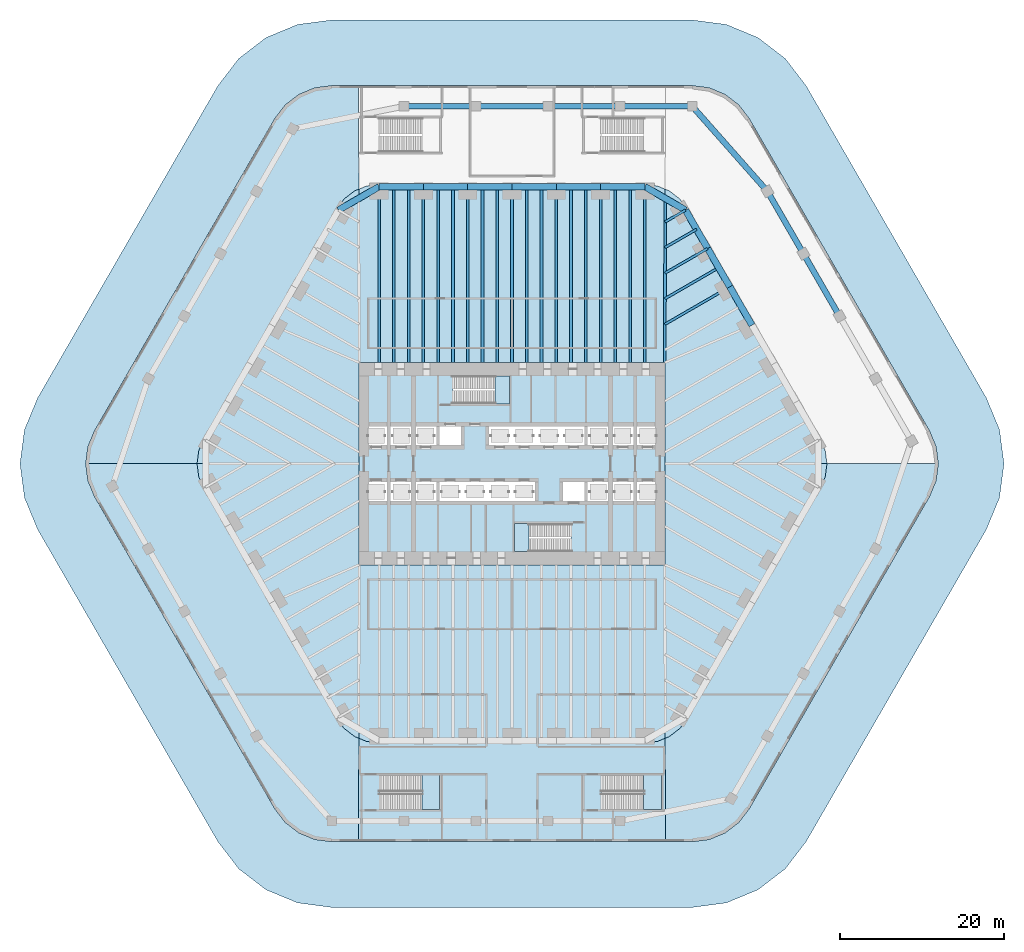
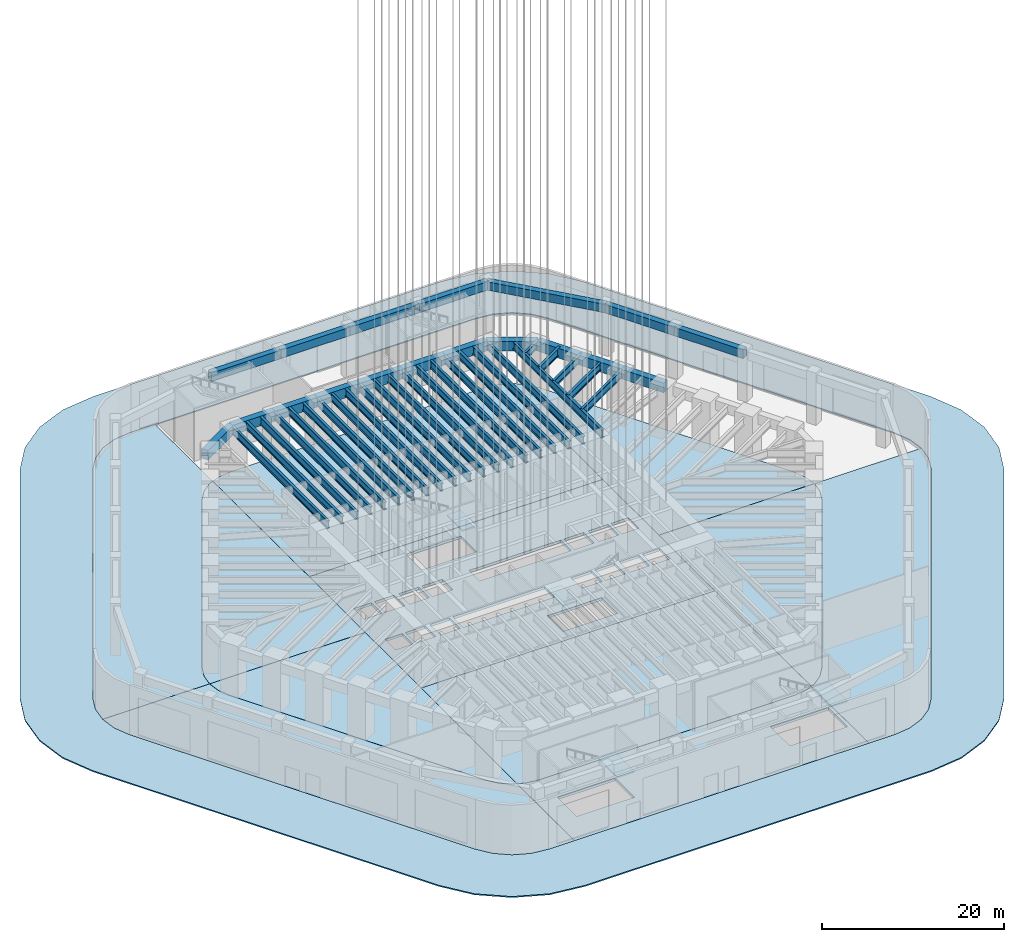
# One storey, part 3 of 23: 43 beams, 16 slabs, 4 elements without a shape of their own.
"""IFC4 building model written with IfcOpenShell, lengths in metres."""

import ifcopenshell
import ifcopenshell.guid

model = None  # the IFC model being written
_history = None  # IfcOwnerHistory: only IFC2X3 demands one
_inside = {}  # id of a spatial element -> (the spatial element, [elements in it])
_under = {}  # id of a project, library or spatial element -> (it, [spatial elements below it])
_declared = {}  # id of a project -> (the project, [libraries it declares])
_typed = {}  # id of a type object -> (the type object, [elements of that type])
_made_of = {}  # id of a material, layer set ... -> (it, [elements and type objects made of it])


def new_model(schema):
    """Start an empty IFC model of exactly this schema.

    Asked for "IFC4X3", IfcOpenShell would pick the latest addendum, in which some entities
    have other attributes; the version numbers below select the first issue.
    IFC2X3 requires an IfcOwnerHistory on every rooted entity: one is made here for all.
    """
    global model, _history
    if schema == "IFC4X3":
        model = ifcopenshell.file(schema_version=(4, 3, 0, 0))
    else:
        model = ifcopenshell.file(schema=schema)
    _inside.clear()
    _under.clear()
    _declared.clear()
    _typed.clear()
    _made_of.clear()
    _history = None
    if model.schema == "IFC2X3":
        org = make("IfcOrganization", Name="unknown")
        user = make(
            "IfcPersonAndOrganization",
            ThePerson=make("IfcPerson", FamilyName="unknown"),
            TheOrganization=org,
        )
        app = make(
            "IfcApplication",
            ApplicationDeveloper=org,
            Version="unknown",
            ApplicationFullName="unknown",
            ApplicationIdentifier="unknown",
        )
        _history = make(
            "IfcOwnerHistory",
            OwningUser=user,
            OwningApplication=app,
            ChangeAction="ADDED",
            CreationDate=0,
        )
    return model


def make(cls, **values):
    """One entity of the class cls with the attributes given. An attribute that is None is left unset."""
    return model.create_entity(
        cls, **{name: value for name, value in values.items() if value is not None}
    )


def rooted(cls, **values):
    """An entity with a GlobalId (a new one), such as an element, a storey or a relation."""
    return make(cls, GlobalId=ifcopenshell.guid.new(), OwnerHistory=_history, **values)


def si_unit(unit_type, name, prefix=None):
    """IfcSIUnit, for example si_unit("LENGTHUNIT", "METRE", prefix="MILLI")."""
    return make("IfcSIUnit", UnitType=unit_type, Prefix=prefix, Name=name)


def assignment(units):
    """IfcUnitAssignment: the units of a project."""
    return None if units is None else make("IfcUnitAssignment", Units=units)


def point(xyz):
    """IfcCartesianPoint."""
    return None if xyz is None else make("IfcCartesianPoint", Coordinates=xyz)


def direction(xyz):
    """IfcDirection."""
    return None if xyz is None else make("IfcDirection", DirectionRatios=xyz)


def frame(location, z_axis=None, x_axis=None):
    """IfcAxis2Placement3D, a coordinate frame: its origin and axes. An axis left out is left unset."""
    return make(
        "IfcAxis2Placement3D",
        Location=point(location),
        Axis=direction(z_axis),
        RefDirection=direction(x_axis),
    )


def frame_2d(location, x_axis=None):
    """IfcAxis2Placement2D, a coordinate frame in the plane: its origin and x axis."""
    return make(
        "IfcAxis2Placement2D", Location=point(location), RefDirection=direction(x_axis)
    )


def origin():
    """The frame at (0, 0, 0) with its axes left unset."""
    return frame((0.0, 0.0, 0.0))


def origin_2d():
    """The frame at (0, 0) in the plane with its x axis left unset."""
    return frame_2d((0.0, 0.0))


def place(relative_to, where):
    """IfcLocalPlacement: puts the frame where relative to a parent placement (None: the world)."""
    return make(
        "IfcLocalPlacement", PlacementRelTo=relative_to, RelativePlacement=where
    )


def context(
    kind, dimensions, precision=None, world=None, true_north=None, identifier=None
):
    """IfcGeometricRepresentationContext, for example the 3D "Model" context."""
    return make(
        "IfcGeometricRepresentationContext",
        ContextIdentifier=identifier,
        ContextType=kind,
        CoordinateSpaceDimension=dimensions,
        Precision=precision,
        WorldCoordinateSystem=world,
        TrueNorth=true_north,
    )


def subcontext(parent, identifier, kind, view, scale=None):
    """IfcGeometricRepresentationSubContext, for example "Body" below "Model"."""
    return make(
        "IfcGeometricRepresentationSubContext",
        ContextIdentifier=identifier,
        ContextType=kind,
        ParentContext=parent,
        TargetScale=scale,
        TargetView=view,
    )


def project(units=None, contexts=None):
    """IfcProject with its units and contexts."""
    return rooted(
        "IfcProject",
        Name="project",
        RepresentationContexts=contexts,
        UnitsInContext=assignment(units),
    )


def spatial(cls, under=None, at=None, **own):
    """A site, building, storey or space (cls), placed at a placement, below another one or the project."""
    s = rooted(cls, ObjectPlacement=at, **own)
    if under is not None:
        _under.setdefault(under.id(), (under, []))[1].append(s)
    return s


def polyline(points):
    """IfcPolyline through the points."""
    return make("IfcPolyline", Points=[point(p) for p in points])


def profile(cls, at=None, kind="AREA", **sizes):
    """A parametric profile (cls). Its sizes go by their IFC names, for example OverallWidth=200.0."""
    return make(cls, ProfileType=kind, Position=at, **sizes)


def rectangle(**sizes):
    """IfcRectangleProfileDef."""
    return profile("IfcRectangleProfileDef", **sizes)


def i_section(**sizes):
    """IfcIShapeProfileDef."""
    return profile("IfcIShapeProfileDef", **sizes)


def outline(outer, holes=None, kind="AREA"):
    """IfcArbitraryClosedProfileDef: a profile drawn as a closed curve; with holes, ...WithVoids."""
    if holes is None:
        return make("IfcArbitraryClosedProfileDef", ProfileType=kind, OuterCurve=outer)
    return make(
        "IfcArbitraryProfileDefWithVoids",
        ProfileType=kind,
        OuterCurve=outer,
        InnerCurves=holes,
    )


def extrude(swept, where, along, depth):
    """IfcExtrudedAreaSolid: the profile swept, set in the frame where, extruded along a direction by depth."""
    return make(
        "IfcExtrudedAreaSolid",
        SweptArea=swept,
        Position=where,
        ExtrudedDirection=direction(along),
        Depth=depth,
    )


def shape(context_of_items, identifier, shape_type, items):
    """IfcShapeRepresentation: the items that make up one representation, for example the "Body"."""
    return make(
        "IfcShapeRepresentation",
        ContextOfItems=context_of_items,
        RepresentationIdentifier=identifier,
        RepresentationType=shape_type,
        Items=items,
    )


def material(Name=None, Category=None):
    """IfcMaterial."""
    return make("IfcMaterial", Name=Name, Category=Category)


def layer(
    of_material, thickness, ventilated=None, Name=None, Category=None, Priority=None
):
    """IfcMaterialLayer: one layer of a wall or slab, of a material (None: an air gap)."""
    return make(
        "IfcMaterialLayer",
        Material=of_material,
        LayerThickness=thickness,
        IsVentilated=ventilated,
        Name=Name,
        Category=Category,
        Priority=Priority,
    )


def layer_set(layers, Name=None):
    """IfcMaterialLayerSet."""
    return make("IfcMaterialLayerSet", MaterialLayers=layers, LayerSetName=Name)


def material_profile(
    of_material, cross_section, Name=None, Category=None, Priority=None
):
    """IfcMaterialProfile: a cross section and its material."""
    return make(
        "IfcMaterialProfile",
        Name=Name,
        Material=of_material,
        Profile=cross_section,
        Priority=Priority,
        Category=Category,
    )


def profile_set(profiles, Name=None, composite=None):
    """IfcMaterialProfileSet."""
    return make(
        "IfcMaterialProfileSet",
        Name=Name,
        MaterialProfiles=profiles,
        CompositeProfile=composite,
    )


def made_of(thing, what):
    """Note that an element or type object is made of a material, layer set ...; save() writes the relation."""
    if what is not None:
        _made_of.setdefault(what.id(), (what, []))[1].append(thing)
    return thing


def type_object(cls, material=None, **own):
    """A type object (cls), such as IfcWallType, which elements share."""
    return made_of(rooted(cls, **own), material)


def element(
    cls,
    number,
    at=None,
    inside=None,
    cuts=None,
    type_object=None,
    material=None,
    context=None,
    identifier="Body",
    shape_type=None,
    held_by="IfcProductDefinitionShape",
    body=None,
    shapes=None,
    **own,
):
    """One element of the class cls, such as IfcWall. Its Tag is "e" and its number.

    at: its placement. inside: the storey or other place that contains it. cuts: it is an
    opening in that element (IfcRelVoidsElement). A single representation is given by context,
    identifier, shape_type and body (its items); several are given by shapes. held_by: the class
    of the entity that holds the representations. save() writes the other relations.
    """
    e = rooted(cls, Tag="e%d" % number, ObjectPlacement=at, **own)
    if body is not None:
        shapes = [shape(context, identifier, shape_type, body)]
    if shapes is not None:
        e.Representation = make(held_by, Representations=shapes)
    if inside is not None:
        _inside.setdefault(inside.id(), (inside, []))[1].append(e)
    if cuts is not None:
        rooted(
            "IfcRelVoidsElement", RelatingBuildingElement=cuts, RelatedOpeningElement=e
        )
    if type_object is not None:
        _typed.setdefault(type_object.id(), (type_object, []))[1].append(e)
    return made_of(e, material)


def aggregate(whole, parts):
    """IfcRelAggregates: a whole, such as a stair, and the parts it consists of."""
    return rooted("IfcRelAggregates", RelatingObject=whole, RelatedObjects=parts)


def save(model, path):
    """Write the relations noted so far, then the file.

    IfcRelAggregates (storeys below a building ...), IfcRelContainedInSpatialStructure (elements
    in a storey), IfcRelDefinesByType, IfcRelAssociatesMaterial and IfcRelDeclares: one each for
    every whole, place, type object, material and project.
    """
    for whole, parts in _under.values():
        aggregate(whole, parts)
    for where, things in _inside.values():
        rooted(
            "IfcRelContainedInSpatialStructure",
            RelatedElements=things,
            RelatingStructure=where,
        )
    for kind, things in _typed.values():
        rooted("IfcRelDefinesByType", RelatedObjects=things, RelatingType=kind)
    for what, things in _made_of.values():
        rooted("IfcRelAssociatesMaterial", RelatedObjects=things, RelatingMaterial=what)
    for by, libraries in _declared.values():
        rooted("IfcRelDeclares", RelatingContext=by, RelatedDefinitions=libraries)
    model.write(path)


model = new_model("IFC4")

# Units and contexts
model_context = context("Model", 3, precision=1e-05, world=origin(), true_north=direction((0.0, 1.0)))
body_context = subcontext(model_context, "Body", "Model", "MODEL_VIEW")
ifc_project = project(units=[si_unit("LENGTHUNIT", "METRE"), si_unit("AREAUNIT", "SQUARE_METRE"), si_unit("VOLUMEUNIT", "CUBIC_METRE"), si_unit("PLANEANGLEUNIT", "RADIAN"), si_unit("MASSUNIT", "GRAM", prefix="KILO")], contexts=[model_context])

# Site, building, storey
site_placement = place(None, origin())
site = spatial("IfcSite", under=ifc_project, at=site_placement, CompositionType="ELEMENT")
building_placement = place(site_placement, origin())
building = spatial("IfcBuilding", under=site, at=building_placement, Name="Tarfa Lantern Tower", CompositionType="ELEMENT")
storey_placement = place(building_placement, origin())
storey = spatial("IfcBuildingStorey", under=building, at=storey_placement, Name="L00", CompositionType="ELEMENT", Elevation=0.0)

# Beams
ifc_material_1 = material(Name="Concrete C80/95", Category="concrete")
ifc_material_profile_1 = material_profile(ifc_material_1, rectangle(XDim=0.800048828125, YDim=1.300048828125, at=origin_2d()), Name="RC 800x1300")
ifc_profile_set_1 = profile_set([ifc_material_profile_1], Name="Concrete C80/95")
beam_type_1 = type_object("IfcBeamType", Name="EB1 RC 800x1300", PredefinedType="SPANDREL", material=ifc_profile_set_1)
beam_1_placement = place(storey_placement, frame((29.202392578125, 16.860107421875, 6.0), z_axis=(-0.500017906299, 0.866015065331, 0.0), x_axis=(-0.866015065331, -0.500017906299, 0.0)))
element("IfcBeam", 1, at=beam_1_placement, inside=storey, type_object=beam_type_1, Name="Edge beam NE3", PredefinedType="SPANDREL", context=body_context, shape_type="SweptSolid", body=[
    extrude(rectangle(XDim=0.800048828125, YDim=1.300048828125, at=origin_2d()), origin(), (0.0, 0.0, 1.0), 5.388427734375),
])
for number, where, z_axis, x_axis, name in (
    (2, (26.508056640625, 21.526611328125, 6.0), (-0.499998287579, 0.866026392449, 0.0), (-0.866026392449, -0.499998287579, 0.0), "Edge beam NE4"),
    (3, (23.813720703125, 26.193359375, 6.0), (-0.499998287579, 0.866026392449, 0.0), (-0.866026392449, -0.499998287579, 0.0), "Edge beam NE5"),
):
    element("IfcBeam", number, at=place(storey_placement, frame(where, z_axis=z_axis, x_axis=x_axis)), inside=storey, type_object=beam_type_1, Name=name, PredefinedType="SPANDREL", context=body_context, shape_type="SweptSolid", body=[
        extrude(rectangle(XDim=0.800048828125, YDim=1.300048828125, at=origin_2d()), origin(), (0.0, 0.0, 1.0), 5.388671875),
    ])
beam_2_placement = place(storey_placement, frame((21.119384765625, 30.860107421875, 6.0), z_axis=(-0.866033479681, 0.499986011877, 0.0), x_axis=(-0.499986011877, -0.866033479681, 0.0)))
element("IfcBeam", 4, at=beam_2_placement, inside=storey, type_object=beam_type_1, Name="Edge beam NE6", PredefinedType="SPANDREL", context=body_context, shape_type="SweptSolid", body=[
    extrude(rectangle(XDim=0.800048828125, YDim=1.300048828125, at=origin_2d()), origin(), (0.0, 0.0, 1.0), 5.719970703125),
])
beam_3_placement = place(storey_placement, frame((16.165771484375, 33.719970703125, 6.0), z_axis=(-1.0, 0.0, 0.0), x_axis=(0.0, -1.0, 0.0)))
element("IfcBeam", 5, at=beam_3_placement, inside=storey, type_object=beam_type_1, Name="Edge beam N0", PredefinedType="SPANDREL", context=body_context, shape_type="SweptSolid", body=[
    extrude(rectangle(XDim=0.800048828125, YDim=1.300048828125, at=origin_2d()), origin(), (0.0, 0.0, 1.0), 5.388671875),
])
beam_4_placement = place(storey_placement, frame((10.777099609375, 33.719970703125, 6.0), z_axis=(-1.0, 0.0, 0.0), x_axis=(0.0, -1.0, 0.0)))
element("IfcBeam", 6, at=beam_4_placement, inside=storey, type_object=beam_type_1, Name="Edge beam N1", PredefinedType="SPANDREL", context=body_context, shape_type="SweptSolid", body=[
    extrude(rectangle(XDim=0.800048828125, YDim=1.300048828125, at=origin_2d()), origin(), (0.0, 0.0, 1.0), 5.388427734375),
])
for number, where, z_axis, x_axis, name in (
    (7, (5.388671875, 33.719970703125, 6.0), (-1.0, 0.0, 0.0), (0.0, -1.0, 0.0), "Edge beam N2"),
    (8, (0.0, 33.719970703125, 6.0), (-1.0, 0.0, 0.0), (0.0, -1.0, 0.0), "Edge beam N3"),
):
    element("IfcBeam", number, at=place(storey_placement, frame(where, z_axis=z_axis, x_axis=x_axis)), inside=storey, type_object=beam_type_1, Name=name, PredefinedType="SPANDREL", context=body_context, shape_type="SweptSolid", body=[
        extrude(rectangle(XDim=0.800048828125, YDim=1.300048828125, at=origin_2d()), origin(), (0.0, 0.0, 1.0), 5.388671875),
    ])
beam_5_placement = place(storey_placement, frame((-5.388671875, 33.719970703125, 6.0), z_axis=(-1.0, 0.0, 0.0), x_axis=(0.0, -1.0, 0.0)))
element("IfcBeam", 9, at=beam_5_placement, inside=storey, type_object=beam_type_1, Name="Edge beam N4", PredefinedType="SPANDREL", context=body_context, shape_type="SweptSolid", body=[
    extrude(rectangle(XDim=0.800048828125, YDim=1.300048828125, at=origin_2d()), origin(), (0.0, 0.0, 1.0), 5.388427734375),
])
beam_6_placement = place(storey_placement, frame((-10.777099609375, 33.719970703125, 6.0), z_axis=(-1.0, 0.0, 0.0), x_axis=(0.0, -1.0, 0.0)))
element("IfcBeam", 10, at=beam_6_placement, inside=storey, type_object=beam_type_1, Name="Edge beam N5", PredefinedType="SPANDREL", context=body_context, shape_type="SweptSolid", body=[
    extrude(rectangle(XDim=0.800048828125, YDim=1.300048828125, at=origin_2d()), origin(), (0.0, 0.0, 1.0), 5.388671875),
])
beam_7_placement = place(storey_placement, frame((-16.165771484375, 33.719970703125, 6.0), z_axis=(-0.866033479681, -0.499986011877, 0.0), x_axis=(0.499986011877, -0.866033479681, 0.0)))
element("IfcBeam", 11, at=beam_7_placement, inside=storey, type_object=beam_type_1, Name="Edge beam N6", PredefinedType="SPANDREL", context=body_context, shape_type="SweptSolid", body=[
    extrude(rectangle(XDim=0.800048828125, YDim=1.300048828125, at=origin_2d()), origin(), (0.0, 0.0, 1.0), 5.719970703125),
])
ifc_material_profile_2 = material_profile(ifc_material_1, rectangle(XDim=0.699951171875, YDim=1.10009765625, at=origin_2d()), Name="RC 700x1100")
ifc_profile_set_2 = profile_set([ifc_material_profile_2], Name="Concrete C80/95")
beam_type_2 = type_object("IfcBeamType", Name="PB1 RC 700x1100", PredefinedType="BEAM", material=ifc_profile_set_2)
for number, where, z_axis, x_axis, name in (
    (12, (39.865966796875, 17.949951171875, 6.10009765625), (-0.499980931779, 0.866036412547, 0.0), (-0.866036412547, -0.499980931779, 0.0), "Podium ring beam NE2"),
    (13, (35.478271484375, 25.550048828125, 6.10009765625), (-0.500013843384, 0.866017411155, 0.0), (-0.866017411155, -0.500013843384, 0.0), "Podium ring beam NE3"),
):
    element("IfcBeam", number, at=place(storey_placement, frame(where, z_axis=z_axis, x_axis=x_axis)), inside=storey, type_object=beam_type_2, Name=name, PredefinedType="BEAM", context=body_context, shape_type="SweptSolid", body=[
        extrude(rectangle(XDim=0.699951171875, YDim=1.10009765625, at=origin_2d()), origin(), (0.0, 0.0, 1.0), 8.775634765625),
    ])
beam_8_placement = place(storey_placement, frame((31.09033203125, 33.14990234375, 6.10009765625), z_axis=(-0.662381688084, 0.74916653642, 0.0), x_axis=(-0.74916653642, -0.662381688084, 0.0)))
element("IfcBeam", 14, at=beam_8_placement, inside=storey, type_object=beam_type_2, Name="Podium ring beam NE4", PredefinedType="BEAM", context=body_context, shape_type="SweptSolid", body=[
    extrude(rectangle(XDim=0.699951171875, YDim=1.10009765625, at=origin_2d()), origin(), (0.0, 0.0, 1.0), 13.8154296875),
])
for number, where, z_axis, x_axis, name in (
    (15, (21.939208984375, 43.5, 6.10009765625), (-1.0, 0.0, 0.0), (0.0, -1.0, 0.0), "Podium ring beam N0"),
    (16, (13.16357421875, 43.5, 6.10009765625), (-1.0, 0.0, 0.0), (0.0, -1.0, 0.0), "Podium ring beam N1"),
):
    element("IfcBeam", number, at=place(storey_placement, frame(where, z_axis=z_axis, x_axis=x_axis)), inside=storey, type_object=beam_type_2, Name=name, PredefinedType="BEAM", context=body_context, shape_type="SweptSolid", body=[
        extrude(rectangle(XDim=0.699951171875, YDim=1.10009765625, at=origin_2d()), origin(), (0.0, 0.0, 1.0), 8.775634765625),
    ])
beam_9_placement = place(storey_placement, frame((4.387939453125, 43.5, 6.10009765625), z_axis=(-1.0, 0.0, 0.0), x_axis=(0.0, -1.0, 0.0)))
element("IfcBeam", 17, at=beam_9_placement, inside=storey, type_object=beam_type_2, Name="Podium ring beam N2", PredefinedType="BEAM", context=body_context, shape_type="SweptSolid", body=[
    extrude(rectangle(XDim=0.699951171875, YDim=1.10009765625, at=origin_2d()), origin(), (0.0, 0.0, 1.0), 8.77587890625),
])
beam_10_placement = place(storey_placement, frame((-4.387939453125, 43.5, 6.10009765625), z_axis=(-1.0, 0.0, 0.0), x_axis=(0.0, -1.0, 0.0)))
element("IfcBeam", 18, at=beam_10_placement, inside=storey, type_object=beam_type_2, Name="Podium ring beam N3", PredefinedType="BEAM", context=body_context, shape_type="SweptSolid", body=[
    extrude(rectangle(XDim=0.699951171875, YDim=1.10009765625, at=origin_2d()), origin(), (0.0, 0.0, 1.0), 8.775634765625),
])
ifc_material_2 = material(Name="Steel S460M", Category="steel")
ifc_material_profile_3 = material_profile(ifc_material_2, i_section(OverallWidth=0.302001953125, OverallDepth=1.008056640625, WebThickness=0.02099609375, FlangeThickness=0.0400390625, FilletRadius=0.030029296875, at=origin_2d()), Name="UB1016x305x349")
ifc_profile_set_3 = profile_set([ifc_material_profile_3], Name="Steel S460M")
beam_type_3 = type_object("IfcBeamType", Name="UB1016x305x349", PredefinedType="BEAM", material=ifc_profile_set_3)
beam_11_placement = place(storey_placement, frame((26.508056640625, 21.526611328125, 6.14599609375), z_axis=(-0.866035355799, -0.49998276221, 0.0), x_axis=(0.49998276221, -0.866035355799, 0.0)))
element("IfcBeam", 19, at=beam_11_placement, inside=storey, type_object=beam_type_3, Name="Floor beam NE4", PredefinedType="BEAM", context=body_context, shape_type="SweptSolid", body=[
    extrude(i_section(OverallWidth=0.302001953125, OverallDepth=1.008056640625, WebThickness=0.02099609375, FlangeThickness=0.0400390625, FilletRadius=0.030029296875, at=origin_2d()), origin(), (0.0, 0.0, 1.0), 9.119873046875),
])
beam_12_placement = place(storey_placement, frame((23.813720703125, 26.193359375, 6.14599609375), z_axis=(-0.866015997389, -0.500016292001, 0.0), x_axis=(0.500016292001, -0.866015997389, 0.0)))
element("IfcBeam", 20, at=beam_12_placement, inside=storey, type_object=beam_type_3, Name="Floor beam NE5", PredefinedType="BEAM", context=body_context, shape_type="SweptSolid", body=[
    extrude(i_section(OverallWidth=0.302001953125, OverallDepth=1.008056640625, WebThickness=0.02099609375, FlangeThickness=0.0400390625, FilletRadius=0.030029296875, at=origin_2d()), origin(), (0.0, 0.0, 1.0), 5.993408203125),
])
beam_13_placement = place(storey_placement, frame((21.119384765625, 30.860107421875, 6.14599609375), z_axis=(-0.866012580594, -0.500022209759, 0.0), x_axis=(0.500022209759, -0.866012580594, 0.0)))
element("IfcBeam", 21, at=beam_13_placement, inside=storey, type_object=beam_type_3, Name="Floor beam NE6", PredefinedType="BEAM", context=body_context, shape_type="SweptSolid", body=[
    extrude(i_section(OverallWidth=0.302001953125, OverallDepth=1.008056640625, WebThickness=0.02099609375, FlangeThickness=0.0400390625, FilletRadius=0.030029296875, at=origin_2d()), origin(), (0.0, 0.0, 1.0), 2.866943359375),
])
beam_14_placement = place(storey_placement, frame((25.160888671875, 23.860107421875, 6.14599609375), z_axis=(-0.866009650502, -0.500027284493, 0.0), x_axis=(0.500027284493, -0.866009650502, 0.0)))
element("IfcBeam", 22, at=beam_14_placement, inside=storey, type_object=beam_type_3, Name="Floor beam NE4M", PredefinedType="BEAM", context=body_context, shape_type="SweptSolid", body=[
    extrude(i_section(OverallWidth=0.302001953125, OverallDepth=1.008056640625, WebThickness=0.02099609375, FlangeThickness=0.0400390625, FilletRadius=0.030029296875, at=origin_2d()), origin(), (0.0, 0.0, 1.0), 7.556640625),
])
beam_15_placement = place(storey_placement, frame((22.466552734375, 28.526611328125, 6.14599609375), z_axis=(-0.866026823135, -0.499997541604, 0.0), x_axis=(0.499997541604, -0.866026823135, 0.0)))
element("IfcBeam", 23, at=beam_15_placement, inside=storey, type_object=beam_type_3, Name="Floor beam NE5M", PredefinedType="BEAM", context=body_context, shape_type="SweptSolid", body=[
    extrude(i_section(OverallWidth=0.302001953125, OverallDepth=1.008056640625, WebThickness=0.02099609375, FlangeThickness=0.0400390625, FilletRadius=0.030029296875, at=origin_2d()), origin(), (0.0, 0.0, 1.0), 4.43017578125),
])
ifc_material_profile_4 = material_profile(ifc_material_2, i_section(OverallWidth=0.314208984375, OverallDepth=1.055908203125, WebThickness=0.035888671875, FlangeThickness=0.06396484375, FilletRadius=0.030029296875, at=origin_2d()), Name="UB1016x305x584")
ifc_profile_set_4 = profile_set([ifc_material_profile_4], Name="Steel S460M")
beam_type_4 = type_object("IfcBeamType", Name="UB1016x305x584", PredefinedType="BEAM", material=ifc_profile_set_4)
beam_16_placement = place(storey_placement, frame((18.60009765625, 12.300048828125, 6.1220703125), z_axis=(0.00212508222, 0.99999774201, 0.0), x_axis=(-0.99999774201, 0.00212508222, 0.0)))
element("IfcBeam", 24, at=beam_16_placement, inside=storey, type_object=beam_type_4, Name="Hip girder NE", PredefinedType="BEAM", context=body_context, shape_type="SweptSolid", body=[
    extrude(i_section(OverallWidth=0.314208984375, OverallDepth=1.055908203125, WebThickness=0.035888671875, FlangeThickness=0.06396484375, FilletRadius=0.030029296875, at=origin_2d()), origin(), (0.0, 0.0, 1.0), 19.989990234375),
])
for number, where, z_axis, x_axis, name in (
    (25, (16.165771484375, 33.719970703125, 6.1220703125), (0.0, -1.0, 0.0), (1.0, 0.0, 0.0), "Floor beam N0"),
    (26, (10.777099609375, 33.719970703125, 6.1220703125), (0.0, -1.0, 0.0), (1.0, 0.0, 0.0), "Floor beam N1"),
    (27, (5.388671875, 33.719970703125, 6.1220703125), (0.0, -1.0, 0.0), (1.0, 0.0, 0.0), "Floor beam N2"),
    (28, (0.0, 33.719970703125, 6.1220703125), (0.0, -1.0, 0.0), (1.0, 0.0, 0.0), "Floor beam N3"),
    (29, (-5.388671875, 33.719970703125, 6.1220703125), (0.0, -1.0, 0.0), (1.0, 0.0, 0.0), "Floor beam N4"),
    (30, (-10.777099609375, 33.719970703125, 6.1220703125), (0.0, -1.0, 0.0), (1.0, 0.0, 0.0), "Floor beam N5"),
    (31, (-16.165771484375, 33.719970703125, 6.1220703125), (0.0, -1.0, 0.0), (1.0, 0.0, 0.0), "Floor beam N6"),
    (32, (14.36962890625, 33.719970703125, 6.1220703125), (0.0, -1.0, 0.0), (1.0, 0.0, 0.0), "Floor beam N0M1"),
    (33, (12.573486328125, 33.719970703125, 6.1220703125), (0.0, -1.0, 0.0), (1.0, 0.0, 0.0), "Floor beam N0M2"),
    (34, (8.98095703125, 33.719970703125, 6.1220703125), (0.0, -1.0, 0.0), (1.0, 0.0, 0.0), "Floor beam N1M1"),
    (35, (7.184814453125, 33.719970703125, 6.1220703125), (0.0, -1.0, 0.0), (1.0, 0.0, 0.0), "Floor beam N1M2"),
    (36, (3.59228515625, 33.719970703125, 6.1220703125), (0.0, -1.0, 0.0), (1.0, 0.0, 0.0), "Floor beam N2M1"),
    (37, (1.796142578125, 33.719970703125, 6.1220703125), (0.0, -1.0, 0.0), (1.0, 0.0, 0.0), "Floor beam N2M2"),
    (38, (-1.796142578125, 33.719970703125, 6.1220703125), (0.0, -1.0, 0.0), (1.0, 0.0, 0.0), "Floor beam N3M1"),
    (39, (-3.59228515625, 33.719970703125, 6.1220703125), (0.0, -1.0, 0.0), (1.0, 0.0, 0.0), "Floor beam N3M2"),
    (40, (-7.184814453125, 33.719970703125, 6.1220703125), (0.0, -1.0, 0.0), (1.0, 0.0, 0.0), "Floor beam N4M1"),
    (41, (-8.98095703125, 33.719970703125, 6.1220703125), (0.0, -1.0, 0.0), (1.0, 0.0, 0.0), "Floor beam N4M2"),
    (42, (-12.573486328125, 33.719970703125, 6.1220703125), (0.0, -1.0, 0.0), (1.0, 0.0, 0.0), "Floor beam N5M1"),
    (43, (-14.36962890625, 33.719970703125, 6.1220703125), (0.0, -1.0, 0.0), (1.0, 0.0, 0.0), "Floor beam N5M2"),
):
    element("IfcBeam", number, at=place(storey_placement, frame(where, z_axis=z_axis, x_axis=x_axis)), inside=storey, type_object=beam_type_4, Name=name, PredefinedType="BEAM", context=body_context, shape_type="SweptSolid", body=[
        extrude(i_section(OverallWidth=0.314208984375, OverallDepth=1.055908203125, WebThickness=0.035888671875, FlangeThickness=0.06396484375, FilletRadius=0.030029296875, at=origin_2d()), origin(), (0.0, 0.0, 1.0), 21.419921875),
    ])

# Slabs
ifc_material_3 = material(Name="Concrete C40/50", Category="concrete")
ifc_layer_1 = layer(ifc_material_3, 0.35009765625)
ifc_layer_set_1 = layer_set([ifc_layer_1], Name="FS3 FLOOR SLAB 350")
slab_type_1 = type_object("IfcSlabType", Name="FS3 FLOOR SLAB 350", PredefinedType="FLOOR", material=ifc_layer_set_1)
slab_1_placement = place(storey_placement, frame((0.0, 0.0, -0.35009765625)))
element("IfcSlab", 44, at=slab_1_placement, inside=storey, type_object=slab_type_1, Name="Floor slab L00", PredefinedType="FLOOR", context=body_context, shape_type="SweptSolid", body=[
    extrude(outline(polyline([(-18.60009765625, -12.300048828125), (18.60009765625, -12.300048828125), (18.60009765625, 12.300048828125), (-18.60009765625, 12.300048828125), (-18.60009765625, -12.300048828125)]), holes=[polyline([(-17.39990234375, 2.25), (-15.199951171875, 2.25), (-15.199951171875, 4.550048828125), (-17.39990234375, 4.550048828125), (-17.39990234375, 2.25)]), polyline([(-14.800048828125, 2.25), (-12.300048828125, 2.25), (-12.300048828125, 4.550048828125), (-14.800048828125, 4.550048828125), (-14.800048828125, 2.25)]), polyline([(-11.699951171875, 2.25), (-9.199951171875, 2.25), (-9.199951171875, 4.550048828125), (-11.699951171875, 4.550048828125), (-11.699951171875, 2.25)]), polyline([(-8.800048828125, 2.25), (-6.199951171875, 2.25), (-6.199951171875, 4.550048828125), (-8.800048828125, 4.550048828125), (-8.800048828125, 2.25)]), polyline([(-2.800048828125, 2.25), (8.800048828125, 2.25), (8.800048828125, 4.550048828125), (-2.800048828125, 4.550048828125), (-2.800048828125, 2.25)]), polyline([(9.199951171875, 2.25), (11.699951171875, 2.25), (11.699951171875, 4.550048828125), (9.199951171875, 4.550048828125), (9.199951171875, 2.25)]), polyline([(12.300048828125, 2.25), (14.800048828125, 2.25), (14.800048828125, 4.550048828125), (12.300048828125, 4.550048828125), (12.300048828125, 2.25)]), polyline([(15.199951171875, 2.25), (17.39990234375, 2.25), (17.39990234375, 4.550048828125), (15.199951171875, 4.550048828125), (15.199951171875, 2.25)]), polyline([(17.39990234375, -2.25), (15.199951171875, -2.25), (15.199951171875, -4.550048828125), (17.39990234375, -4.550048828125), (17.39990234375, -2.25)]), polyline([(14.800048828125, -2.25), (12.300048828125, -2.25), (12.300048828125, -4.550048828125), (14.800048828125, -4.550048828125), (14.800048828125, -2.25)]), polyline([(11.699951171875, -2.25), (9.199951171875, -2.25), (9.199951171875, -4.550048828125), (11.699951171875, -4.550048828125), (11.699951171875, -2.25)]), polyline([(8.800048828125, -2.25), (6.199951171875, -2.25), (6.199951171875, -4.550048828125), (8.800048828125, -4.550048828125), (8.800048828125, -2.25)]), polyline([(2.800048828125, -2.25), (-8.800048828125, -2.25), (-8.800048828125, -4.550048828125), (2.800048828125, -4.550048828125), (2.800048828125, -2.25)]), polyline([(-9.199951171875, -2.25), (-11.699951171875, -2.25), (-11.699951171875, -4.550048828125), (-9.199951171875, -4.550048828125), (-9.199951171875, -2.25)]), polyline([(-12.300048828125, -2.25), (-14.800048828125, -2.25), (-14.800048828125, -4.550048828125), (-12.300048828125, -4.550048828125), (-12.300048828125, -2.25)]), polyline([(-15.199951171875, -2.25), (-17.39990234375, -2.25), (-17.39990234375, -4.550048828125), (-15.199951171875, -4.550048828125), (-15.199951171875, -2.25)]), polyline([(-7.199951171875, 7.25), (-0.300048828125, 7.25), (-0.300048828125, 10.699951171875), (-7.199951171875, 10.699951171875), (-7.199951171875, 7.25)]), polyline([(7.199951171875, -7.25), (0.300048828125, -7.25), (0.300048828125, -10.699951171875), (7.199951171875, -10.699951171875), (7.199951171875, -7.25)])]), origin(), (0.0, 0.0, 1.0), 0.35009765625),
])
slab_2_placement = place(storey_placement, frame((0.0, 0.0, -0.35009765625)))
element("IfcSlab", 45, at=slab_2_placement, inside=storey, type_object=slab_type_1, Name="Floor slab L00 NE bay", PredefinedType="FLOOR", context=body_context, shape_type="SweptSolid", body=[
    extrude(outline(polyline([(37.52587890625, 2.9990234375), (21.3603515625, 30.998779296875), (20.406982421875, 32.2412109375), (19.164794921875, 33.1943359375), (18.64697265625, 33.408935546875), (18.60205078125, 12.300048828125), (18.60205078125, 0.001953125), (38.329345703125, 0.001953125), (38.125244140625, 1.552490234375), (37.52587890625, 2.9990234375)])), origin(), (0.0, 0.0, 1.0), 0.35009765625),
])
slab_3_placement = place(storey_placement, frame((0.0, 0.0, -0.35009765625)))
element("IfcSlab", 46, at=slab_3_placement, inside=storey, type_object=slab_type_1, Name="Floor slab L00 N bay", PredefinedType="FLOOR", context=body_context, shape_type="SweptSolid", body=[
    extrude(outline(polyline([(-18.597900390625, 12.302001953125), (18.597900390625, 12.302001953125), (18.64306640625, 33.41064453125), (17.71826171875, 33.793701171875), (16.165771484375, 33.998046875), (-16.165771484375, 33.998046875), (-17.71826171875, 33.793701171875), (-18.64306640625, 33.41064453125), (-18.597900390625, 12.302001953125)])), origin(), (0.0, 0.0, 1.0), 0.35009765625),
])
slab_4_placement = place(storey_placement, frame((0.0, 0.0, -0.35009765625)))
element("IfcSlab", 47, at=slab_4_placement, inside=storey, type_object=slab_type_1, Name="Floor slab L00 NW bay", PredefinedType="FLOOR", context=body_context, shape_type="SweptSolid", body=[
    extrude(outline(polyline([(-18.60205078125, 0.001953125), (-18.60205078125, 12.300048828125), (-18.64697265625, 33.408935546875), (-19.164794921875, 33.1943359375), (-20.406982421875, 32.2412109375), (-21.3603515625, 30.998779296875), (-37.52587890625, 2.9990234375), (-38.125244140625, 1.552490234375), (-38.329345703125, 0.001953125), (-18.60205078125, 0.001953125)])), origin(), (0.0, 0.0, 1.0), 0.35009765625),
])
slab_5_placement = place(storey_placement, frame((0.0, 0.0, -0.35009765625)))
element("IfcSlab", 48, at=slab_5_placement, inside=storey, type_object=slab_type_1, Name="Floor slab L00 SW bay", PredefinedType="FLOOR", context=body_context, shape_type="SweptSolid", body=[
    extrude(outline(polyline([(-18.60205078125, -12.300048828125), (-18.60205078125, -0.001953125), (-38.329345703125, -0.001953125), (-38.125244140625, -1.552490234375), (-37.52587890625, -2.9990234375), (-21.3603515625, -30.998779296875), (-20.406982421875, -32.2412109375), (-19.164794921875, -33.1943359375), (-18.64697265625, -33.408935546875), (-18.60205078125, -12.300048828125)])), origin(), (0.0, 0.0, 1.0), 0.35009765625),
])
slab_6_placement = place(storey_placement, frame((0.0, 0.0, -0.35009765625)))
element("IfcSlab", 49, at=slab_6_placement, inside=storey, type_object=slab_type_1, Name="Floor slab L00 S bay", PredefinedType="FLOOR", context=body_context, shape_type="SweptSolid", body=[
    extrude(outline(polyline([(18.597900390625, -12.302001953125), (-18.597900390625, -12.302001953125), (-18.64306640625, -33.41064453125), (-17.71826171875, -33.793701171875), (-16.165771484375, -33.998046875), (16.165771484375, -33.998046875), (17.71826171875, -33.793701171875), (18.64306640625, -33.41064453125), (18.597900390625, -12.302001953125)])), origin(), (0.0, 0.0, 1.0), 0.35009765625),
])
slab_7_placement = place(storey_placement, frame((0.0, 0.0, -0.35009765625)))
element("IfcSlab", 50, at=slab_7_placement, inside=storey, type_object=slab_type_1, Name="Floor slab L00 SE bay", PredefinedType="FLOOR", context=body_context, shape_type="SweptSolid", body=[
    extrude(outline(polyline([(18.60205078125, -0.001953125), (18.60205078125, -12.300048828125), (18.64697265625, -33.408935546875), (19.164794921875, -33.1943359375), (20.406982421875, -32.2412109375), (21.3603515625, -30.998779296875), (37.52587890625, -2.9990234375), (38.125244140625, -1.552490234375), (38.329345703125, -0.001953125), (18.60205078125, -0.001953125)])), origin(), (0.0, 0.0, 1.0), 0.35009765625),
])
slab_8_placement = place(storey_placement, frame((0.0, 0.0, -0.35009765625)))
element("IfcSlab", 51, at=slab_8_placement, inside=storey, type_object=slab_type_1, Name="Floor slab L00 podium-NW bay", PredefinedType="FLOOR", context=body_context, shape_type="SweptSolid", body=[
    extrude(outline(polyline([(-38.333251953125, 0.001953125), (-38.129150390625, 1.553466796875), (-37.529541015625, 3.0009765625), (-21.363525390625, 31.001220703125), (-20.409912109375, 32.244140625), (-19.166748046875, 33.197998046875), (-18.64697265625, 33.4130859375), (-18.673828125, 45.998046875), (-21.939208984375, 45.998046875), (-24.00927734375, 45.725341796875), (-25.938232421875, 44.926513671875), (-27.5947265625, 43.655517578125), (-28.865966796875, 41.998779296875), (-50.804931640625, 3.9990234375), (-51.60400390625, 2.070068359375), (-51.876220703125, 0.001953125), (-38.333251953125, 0.001953125)])), origin(), (0.0, 0.0, 1.0), 0.35009765625),
])
slab_9_placement = place(storey_placement, frame((0.0, 0.0, -0.35009765625)))
element("IfcSlab", 52, at=slab_9_placement, inside=storey, type_object=slab_type_1, Name="Floor slab L00 podium-SW bay", PredefinedType="FLOOR", context=body_context, shape_type="SweptSolid", body=[
    extrude(outline(polyline([(-18.64697265625, -33.4130859375), (-19.166748046875, -33.197998046875), (-20.409912109375, -32.244140625), (-21.363525390625, -31.001220703125), (-37.529541015625, -3.0009765625), (-38.129150390625, -1.553466796875), (-38.333251953125, -0.001953125), (-51.876220703125, -0.001953125), (-51.60400390625, -2.070068359375), (-50.804931640625, -3.9990234375), (-28.865966796875, -41.998779296875), (-27.5947265625, -43.655517578125), (-25.938232421875, -44.926513671875), (-24.00927734375, -45.725341796875), (-21.939208984375, -45.998046875), (-18.673828125, -45.998046875), (-18.64697265625, -33.4130859375)])), origin(), (0.0, 0.0, 1.0), 0.35009765625),
])
slab_10_placement = place(storey_placement, frame((0.0, 0.0, -0.35009765625)))
element("IfcSlab", 53, at=slab_10_placement, inside=storey, type_object=slab_type_1, Name="Floor slab L00 podium-S bay", PredefinedType="FLOOR", context=body_context, shape_type="SweptSolid", body=[
    extrude(outline(polyline([(18.64306640625, -33.414794921875), (17.71923828125, -33.797607421875), (16.166015625, -34.001953125), (-16.166015625, -34.001953125), (-17.71923828125, -33.797607421875), (-18.64306640625, -33.414794921875), (-18.669921875, -45.998046875), (18.669921875, -45.998046875), (18.64306640625, -33.414794921875)]), holes=[polyline([(-16.10009765625, -42.10009765625), (-8.800048828125, -42.10009765625), (-8.800048828125, -37.89990234375), (-16.10009765625, -37.89990234375), (-16.10009765625, -42.10009765625)]), polyline([(10.89990234375, -42.10009765625), (18.199951171875, -42.10009765625), (18.199951171875, -37.89990234375), (10.89990234375, -37.89990234375), (10.89990234375, -42.10009765625)])]), origin(), (0.0, 0.0, 1.0), 0.35009765625),
])
slab_11_placement = place(storey_placement, frame((0.0, 0.0, -0.35009765625)))
element("IfcSlab", 54, at=slab_11_placement, inside=storey, type_object=slab_type_1, Name="Floor slab L00 podium-SE bay", PredefinedType="FLOOR", context=body_context, shape_type="SweptSolid", body=[
    extrude(outline(polyline([(38.333251953125, -0.001953125), (38.129150390625, -1.553466796875), (37.529541015625, -3.0009765625), (21.363525390625, -31.001220703125), (20.409912109375, -32.244140625), (19.166748046875, -33.197998046875), (18.64697265625, -33.4130859375), (18.673828125, -45.998046875), (21.939208984375, -45.998046875), (24.00927734375, -45.725341796875), (25.938232421875, -44.926513671875), (27.5947265625, -43.655517578125), (28.865966796875, -41.998779296875), (50.804931640625, -3.9990234375), (51.60400390625, -2.070068359375), (51.876220703125, -0.001953125), (38.333251953125, -0.001953125)])), origin(), (0.0, 0.0, 1.0), 0.35009765625),
])
ifc_material_4 = material(Name="Granite setts on concrete bed", Category="masonry")
ifc_layer_2 = layer(ifc_material_4, 0.14990234375)
ifc_layer_set_2 = layer_set([ifc_layer_2], Name="PV1 FORECOURT PAVING 150")
slab_type_2 = type_object("IfcSlabType", Name="PV1 FORECOURT PAVING 150", PredefinedType="USERDEFINED", material=ifc_layer_set_2)
slab_12_placement = place(storey_placement, frame((0.0, 0.0, -0.14990234375)))
element("IfcSlab", 55, at=slab_12_placement, inside=storey, type_object=slab_type_2, Name="Forecourt paving", ObjectType="PAVING", PredefinedType="USERDEFINED", context=body_context, shape_type="SweptSolid", body=[
    extrude(outline(polyline([(57.735107421875, 8.0), (35.795654296875, 46.0), (33.2529296875, 49.313720703125), (29.939208984375, 51.8564453125), (26.080322265625, 53.454833984375), (21.939208984375, 54.0), (-21.939208984375, 54.0), (-26.080322265625, 53.454833984375), (-29.939208984375, 51.8564453125), (-33.2529296875, 49.313720703125), (-35.795654296875, 46.0), (-57.735107421875, 8.0), (-59.33349609375, 4.14111328125), (-59.878662109375, 0.0), (-59.33349609375, -4.14111328125), (-57.735107421875, -8.0), (-35.795654296875, -46.0), (-33.2529296875, -49.313720703125), (-29.939208984375, -51.8564453125), (-26.080322265625, -53.454833984375), (-21.939208984375, -54.0), (21.939208984375, -54.0), (26.080322265625, -53.454833984375), (29.939208984375, -51.8564453125), (33.2529296875, -49.313720703125), (35.795654296875, -46.0), (57.735107421875, -8.0), (59.33349609375, -4.14111328125), (59.878662109375, 0.0), (59.33349609375, 4.14111328125), (57.735107421875, 8.0)]), holes=[polyline([(50.806884765625, 4.0), (28.867431640625, 42.0), (27.59619140625, 43.65673828125), (25.939208984375, 44.92822265625), (24.009765625, 45.727294921875), (21.939208984375, 46.0), (-21.939208984375, 46.0), (-24.009765625, 45.727294921875), (-25.939208984375, 44.92822265625), (-27.59619140625, 43.65673828125), (-28.867431640625, 42.0), (-50.806884765625, 4.0), (-51.60595703125, 2.070556640625), (-51.878662109375, 0.0), (-51.60595703125, -2.070556640625), (-50.806884765625, -4.0), (-28.867431640625, -42.0), (-27.59619140625, -43.65673828125), (-25.939208984375, -44.92822265625), (-24.009765625, -45.727294921875), (-21.939208984375, -46.0), (21.939208984375, -46.0), (24.009765625, -45.727294921875), (25.939208984375, -44.92822265625), (27.59619140625, -43.65673828125), (28.867431640625, -42.0), (50.806884765625, -4.0), (51.60595703125, -2.070556640625), (51.878662109375, 0.0), (51.60595703125, 2.070556640625), (50.806884765625, 4.0)])]), origin(), (0.0, 0.0, 1.0), 0.14990234375),
])

# Stair, slab
stair_type_1 = type_object("IfcStairType", Name="ST-T3 HALF-TURN STAIR 7000 RISE", PredefinedType="HALF_TURN_STAIR", material=ifc_material_3)
stair_1_placement = place(storey_placement, origin())
stair_1 = element("IfcStair", 56, at=stair_1_placement, inside=storey, type_object=stair_type_1, Name="Stair ST1", PredefinedType="HALF_TURN_STAIR")
ifc_layer_3 = layer(ifc_material_3, 0.199951171875)
ifc_layer_set_3 = layer_set([ifc_layer_3], Name="SL1 STAIR LANDING 200")
slab_type_3 = type_object("IfcSlabType", Name="SL1 STAIR LANDING 200", PredefinedType="LANDING", material=ifc_layer_set_3)
slab_13_placement = place(storey_placement, frame((0.0, 0.0, 3.300048828125)))
slab_13 = element("IfcSlab", 57, at=slab_13_placement, type_object=slab_type_3, Name="ST1 landing 1", PredefinedType="LANDING", context=body_context, shape_type="SweptSolid", body=[
    extrude(outline(polyline([(-2.080078125, 7.25), (-0.300048828125, 7.25), (-0.300048828125, 10.699951171875), (-2.080078125, 10.699951171875), (-2.080078125, 7.25)])), origin(), (0.0, 0.0, 1.0), 0.199951171875),
])
aggregate(stair_1, [slab_13])

stair_2_placement = place(storey_placement, origin())
stair_2 = element("IfcStair", 58, at=stair_2_placement, inside=storey, type_object=stair_type_1, Name="Stair ST2", PredefinedType="HALF_TURN_STAIR")
slab_14_placement = place(storey_placement, frame((0.0, 0.0, 3.300048828125)))
slab_14 = element("IfcSlab", 59, at=slab_14_placement, type_object=slab_type_3, Name="ST2 landing 1", PredefinedType="LANDING", context=body_context, shape_type="SweptSolid", body=[
    extrude(outline(polyline([(2.080078125, -7.25), (0.300048828125, -7.25), (0.300048828125, -10.699951171875), (2.080078125, -10.699951171875), (2.080078125, -7.25)])), origin(), (0.0, 0.0, 1.0), 0.199951171875),
])
aggregate(stair_2, [slab_14])

stair_type_2 = type_object("IfcStairType", Name="ST-T4 HALF-TURN STAIR 7000 RISE", PredefinedType="HALF_TURN_STAIR", material=ifc_material_3)
stair_3_placement = place(storey_placement, origin())
stair_3 = element("IfcStair", 60, at=stair_3_placement, inside=storey, type_object=stair_type_2, Name="Stair ST5", PredefinedType="HALF_TURN_STAIR")
slab_15_placement = place(storey_placement, frame((0.0, 0.0, 3.300048828125)))
slab_15 = element("IfcSlab", 61, at=slab_15_placement, type_object=slab_type_3, Name="ST5 landing 1", PredefinedType="LANDING", context=body_context, shape_type="SweptSolid", body=[
    extrude(outline(polyline([(-10.97998046875, -42.10009765625), (-8.800048828125, -42.10009765625), (-8.800048828125, -37.89990234375), (-10.97998046875, -37.89990234375), (-10.97998046875, -42.10009765625)])), origin(), (0.0, 0.0, 1.0), 0.199951171875),
])
aggregate(stair_3, [slab_15])

stair_4_placement = place(storey_placement, origin())
stair_4 = element("IfcStair", 62, at=stair_4_placement, inside=storey, type_object=stair_type_2, Name="Stair ST6", PredefinedType="HALF_TURN_STAIR")
slab_16_placement = place(storey_placement, frame((0.0, 0.0, 3.300048828125)))
slab_16 = element("IfcSlab", 63, at=slab_16_placement, type_object=slab_type_3, Name="ST6 landing 1", PredefinedType="LANDING", context=body_context, shape_type="SweptSolid", body=[
    extrude(outline(polyline([(16.02001953125, -42.10009765625), (18.199951171875, -42.10009765625), (18.199951171875, -37.89990234375), (16.02001953125, -37.89990234375), (16.02001953125, -42.10009765625)])), origin(), (0.0, 0.0, 1.0), 0.199951171875),
])
aggregate(stair_4, [slab_16])

save(model, "model.ifc")
